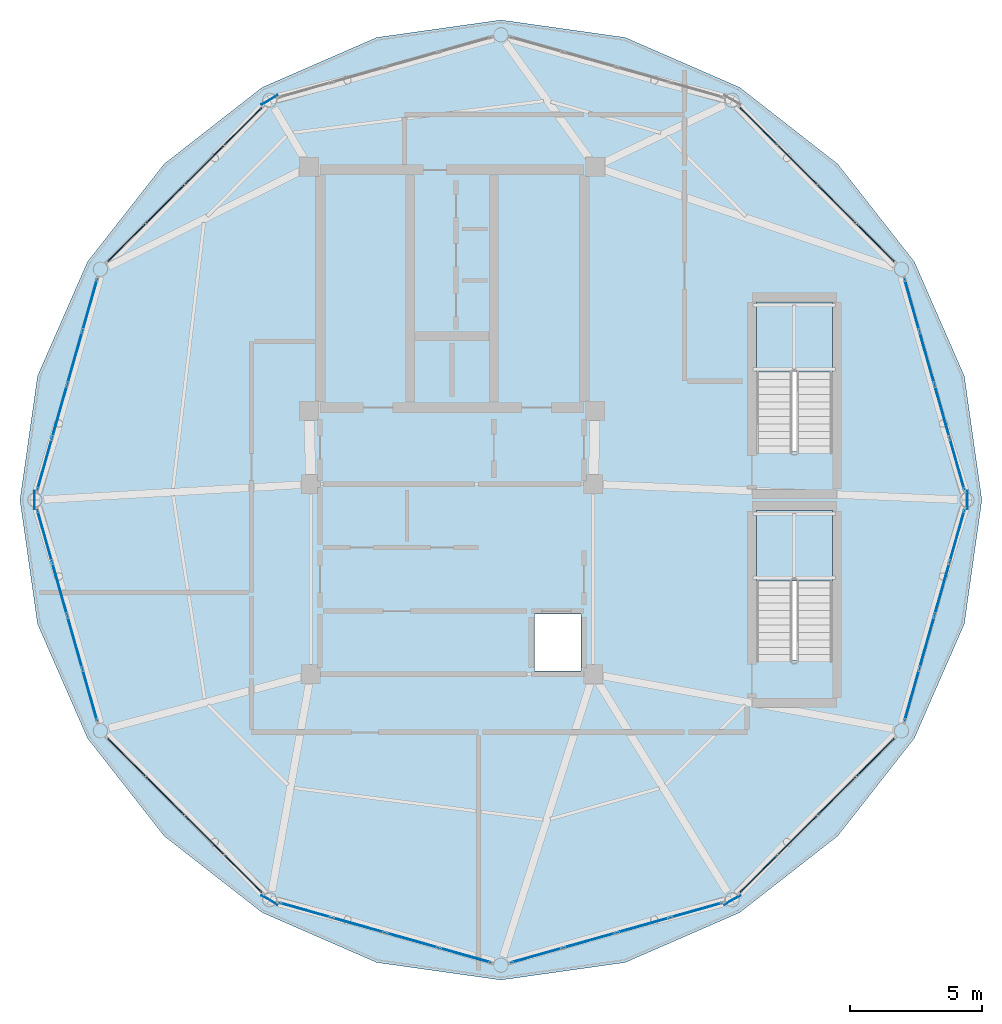
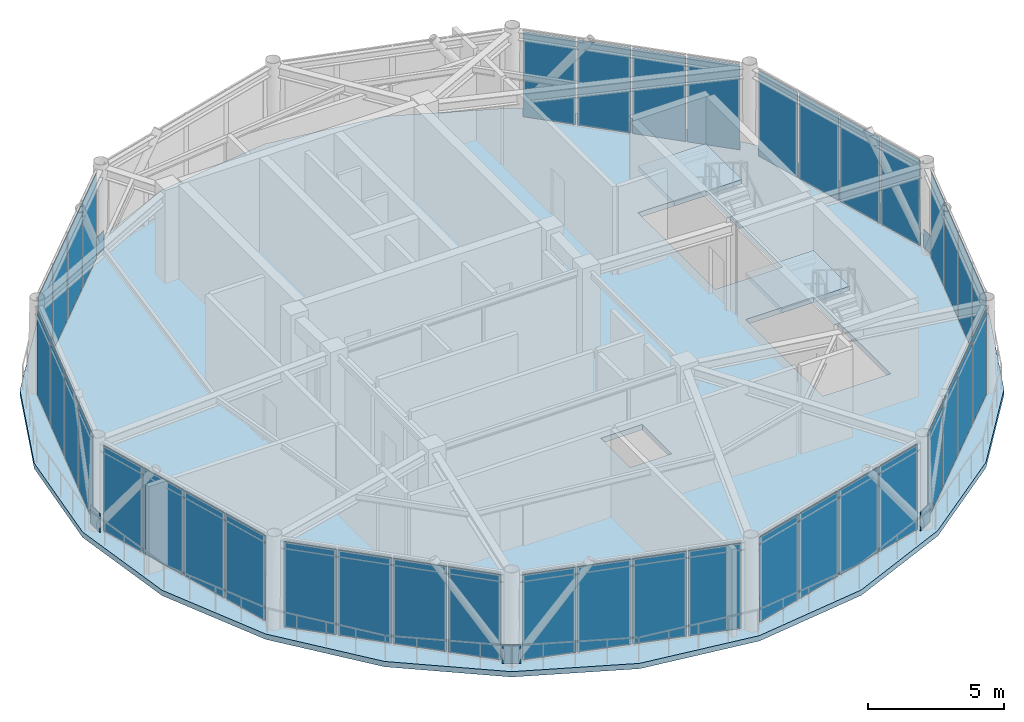
# One storey, part 16 of 21: 45 plates, 3 slabs, 12 elements without a shape of their own.
"""IFC4 building model written with IfcOpenShell, lengths in metres."""

from ifc_helpers import new_model, si_unit, direction, frame, origin, origin_2d, place, context, subcontext, project, spatial, polyline, rectangle, outline, extrude, source, transform, mapped, material, layer, layer_set, type_object, type_shapes, element, aggregate, save


model = new_model("IFC4")

# Units and contexts
model_context = context("Model", 3, precision=1e-05, world=origin(), true_north=direction((0.0, 1.0)))
body_context = subcontext(model_context, "Body", "Model", "MODEL_VIEW")
ifc_project = project(units=[si_unit("LENGTHUNIT", "METRE"), si_unit("AREAUNIT", "SQUARE_METRE"), si_unit("VOLUMEUNIT", "CUBIC_METRE"), si_unit("PLANEANGLEUNIT", "RADIAN"), si_unit("MASSUNIT", "GRAM", prefix="KILO")], contexts=[model_context])

# Site, building, storey
site_placement = place(None, origin())
site = spatial("IfcSite", under=ifc_project, at=site_placement, CompositionType="ELEMENT")
building_placement = place(site_placement, origin())
building = spatial("IfcBuilding", under=site, at=building_placement, Name="Varnakorn Sky Granary", CompositionType="ELEMENT")
storey_placement = place(building_placement, frame((0.0, 0.0, 294.0)))
storey = spatial("IfcBuildingStorey", under=building, at=storey_placement, Name="L75", CompositionType="ELEMENT", Elevation=294.0)

# Plates
ifc_material_1 = material(Name="Steel S460M", Category="steel")
ifc_layer_1 = layer(ifc_material_1, 0.031982421875, Name="Steel S460M")
ifc_layer_set_1 = layer_set([ifc_layer_1], Name="Steel S460M")
plate_type_1 = type_object("IfcPlateType", Name="PL-NODE-KN8", PredefinedType="SHEET", material=ifc_layer_set_1)
for number, where, z_axis, x_axis, name in (
    (1, (22.513916015625, 0.0, 0.0), (0.0, 0.0, 1.0), (0.0, 1.0, 0.0), "Diagrid Node Gusset Assembly KN8 L75-1"),
    (2, (-3.91455078125, 15.150146484375, 0.0), (0.0, 0.0, 1.0), (-0.865591441028, -0.500750893379, 0.0), "Diagrid Node Gusset Assembly KN8 L75-5"),
    (3, (-12.81396484375, 0.0, 0.0), (0.0, 0.0, 1.0), (0.0, -1.0, 0.0), "Diagrid Node Gusset Assembly KN8 L75-7"),
    (4, (-3.91455078125, -15.150146484375, 0.0), (0.0, 0.0, 1.0), (0.865591441028, -0.500750893379, 0.0), "Diagrid Node Gusset Assembly KN8 L75-9"),
    (5, (13.614501953125, -15.150146484375, 0.0), (0.0, 0.0, 1.0), (0.865591441028, 0.500750893379, 0.0), "Diagrid Node Gusset Assembly KN8 L75-11"),
):
    element("IfcPlate", number, at=place(storey_placement, frame(where, z_axis=z_axis, x_axis=x_axis)), inside=storey, type_object=plate_type_1, Name=name, PredefinedType="SHEET", context=body_context, shape_type="SweptSolid", body=[
        extrude(rectangle(XDim=0.699951171875, YDim=0.031982421875, at=origin_2d()), origin(), (0.0, 0.0, 1.0), 0.820068359375),
    ])

# Stair, slab
ifc_material_2 = material(Name="Concrete C40/50", Category="concrete")
stair_type = type_object("IfcStairType", Name="ST-CRWN-ASSEMBLY", PredefinedType="HALF_TURN_STAIR", material=ifc_material_2)
stair_1_placement = place(storey_placement, origin())
stair_1 = element("IfcStair", 6, at=stair_1_placement, inside=storey, type_object=stair_type, Name="L75 Crown North Exit Stair ST-C1", PredefinedType="HALF_TURN_STAIR")
ifc_layer_2 = layer(ifc_material_2, 0.199951171875, Name="Concrete C40/50")
ifc_layer_set_2 = layer_set([ifc_layer_2], Name="Concrete C40/50")
slab_type_1 = type_object("IfcSlabType", Name="ST-CRWN-LAND", PredefinedType="LANDING", material=ifc_layer_set_2)
slab_1_placement = place(storey_placement, frame((0.0, 0.0, 1.89990234375)))
slab_1 = element("IfcSlab", 7, at=slab_1_placement, type_object=slab_type_1, Name="ST-C1 landing 1", PredefinedType="LANDING", context=body_context, shape_type="SweptSolid", body=[
    extrude(outline(polyline([(17.39990234375, 4.840087890625), (17.39990234375, 7.5), (14.530029296875, 7.5), (14.530029296875, 4.840087890625), (17.39990234375, 4.840087890625)])), origin(), (0.0, 0.0, 1.0), 0.2001953125),
])
aggregate(stair_1, [slab_1])

stair_2_placement = place(storey_placement, origin())
stair_2 = element("IfcStair", 8, at=stair_2_placement, inside=storey, type_object=stair_type, Name="L75 Crown South Exit Stair ST-C2", PredefinedType="HALF_TURN_STAIR")
slab_2_placement = place(storey_placement, frame((0.0, 0.0, 1.89990234375)))
slab_2 = element("IfcSlab", 9, at=slab_2_placement, type_object=slab_type_1, Name="ST-C2 landing 1", PredefinedType="LANDING", context=body_context, shape_type="SweptSolid", body=[
    extrude(outline(polyline([(17.39990234375, -3.06005859375), (17.39990234375, -0.39990234375), (14.530029296875, -0.39990234375), (14.530029296875, -3.06005859375), (17.39990234375, -3.06005859375)])), origin(), (0.0, 0.0, 1.0), 0.2001953125),
])
aggregate(stair_2, [slab_2])

# Slab
ifc_material_3 = material(Name="Concrete C50/60", Category="concrete")
ifc_layer_3 = layer(ifc_material_3, 0.239990234375, Name="Concrete C50/60")
ifc_layer_set_3 = layer_set([ifc_layer_3], Name="Concrete C50/60")
slab_type_2 = type_object("IfcSlabType", Name="ST-SL-TWR-240", PredefinedType="FLOOR", material=ifc_layer_set_3)
slab_3_placement = place(storey_placement, frame((0.0, 0.0, -0.239990234375)))
element("IfcSlab", 10, at=slab_3_placement, inside=storey, type_object=slab_type_2, Name="Level L75 Structural Floor Slab", PredefinedType="FLOOR", context=body_context, shape_type="SweptSolid", body=[
    extrude(outline(polyline([(23.06396484375, 0.0), (22.39990234375, 4.693359375), (20.5068359375, 9.02197265625), (17.60205078125, 12.727294921875), (13.889404296875, 15.626708984375), (9.552490234375, 17.51611328125), (4.85009765625, 18.178955078125), (0.1474609375, 17.51611328125), (-4.189453125, 15.626708984375), (-7.902099609375, 12.727294921875), (-10.806884765625, 9.02197265625), (-12.699951171875, 4.693359375), (-13.364013671875, 0.0), (-12.699951171875, -4.693359375), (-10.806884765625, -9.02197265625), (-7.902099609375, -12.727294921875), (-4.189453125, -15.626708984375), (0.1474609375, -17.51611328125), (4.85009765625, -18.178955078125), (9.552490234375, -17.51611328125), (13.889404296875, -15.626708984375), (17.60205078125, -12.727294921875), (20.5068359375, -9.02197265625), (22.39990234375, -4.693359375), (23.06396484375, 0.0)]), holes=[polyline([(17.39990234375, 1.8349609375), (17.39990234375, 7.5), (14.530029296875, 7.5), (14.530029296875, 1.8349609375), (17.39990234375, 1.8349609375)]), polyline([(17.39990234375, -6.06494140625), (17.39990234375, -0.39990234375), (14.530029296875, -0.39990234375), (14.530029296875, -6.06494140625), (17.39990234375, -6.06494140625)]), polyline([(6.1201171875, -6.47998046875), (7.8798828125, -6.47998046875), (7.8798828125, -4.320068359375), (6.1201171875, -4.320068359375), (6.1201171875, -6.47998046875)])]), origin(), (0.0, 0.0, 1.0), 0.239990234375),
])

# Curtain wall, plates
ifc_material_4 = material(Name="Anodised Bronze Aluminium Alloy 6063-T6", Category="aluminium")
ifc_layer_4 = layer(ifc_material_4, 0.22998046875, Name="Anodised Bronze Aluminium Alloy 6063-T6")
ifc_layer_set_4 = layer_set([ifc_layer_4], Name="Anodised Bronze Aluminium Alloy 6063-T6")
curtain_wall_type = type_object("IfcCurtainWallType", Name="CW-LNT-1", PredefinedType="USERDEFINED", material=ifc_layer_set_4)
curtain_wall_1_placement = place(storey_placement, origin())
curtain_wall_1 = element("IfcCurtainWall", 11, at=curtain_wall_1_placement, inside=storey, type_object=curtain_wall_type, Name="Unitised Curtain Wall CW7 CW-L75-B01", ObjectType="CURTAIN WALL", PredefinedType="USERDEFINED")
ifc_material_5 = material(Name="Low-E Tinted Laminated Glass", Category="glass")
ifc_layer_5 = layer(ifc_material_5, 0.035888671875, Name="Low-E Tinted Laminated Glass")
ifc_layer_set_5 = layer_set([ifc_layer_5], Name="Low-E Tinted Laminated Glass")
plate_type_2 = type_object("IfcPlateType", Name="CW-LNT-1-PNL", PredefinedType="CURTAIN_PANEL")
shared_shape_1 = source(origin(), body_context, "Body", "SweptSolid", [
    extrude(rectangle(XDim=1.990966796875, YDim=0.035888671875, at=origin_2d()), origin(), (0.0, 0.0, 1.0), 3.81005859375),
])
plate_1_placement = place(storey_placement, frame((20.415771484375, 7.390625, 0.074951171875), z_axis=(0.0, 0.0, 1.0), x_axis=(0.273125867489, -0.961978305633, 0.0)))
plate_1 = element("IfcPlate", 12, at=plate_1_placement, type_object=plate_type_2, material=ifc_layer_set_5, Name="CW7 vision glazing unit 1.1", PredefinedType="CURTAIN_PANEL", context=body_context, shape_type="MappedRepresentation", body=[
    mapped(shared_shape_1, transform((0.0, 0.0, 0.0), x_axis=(1.0, 0.0, 0.0), y_axis=(0.0, 1.0, 0.0), z_axis=(0.0, 0.0, 1.0), scale=1.0)),
])
ifc_material_6 = material(Name="Opaque Insulated Aluminium Shadow-Box Unit", Category="aluminium")
ifc_layer_6 = layer(ifc_material_6, 0.035888671875, Name="Opaque Insulated Aluminium Shadow-Box Unit")
ifc_layer_set_6 = layer_set([ifc_layer_6], Name="Opaque Insulated Aluminium Shadow-Box Unit")
plate_2_placement = place(storey_placement, frame((22.12890625, 1.3564453125, 0.074951171875), z_axis=(0.0, 0.0, 1.0), x_axis=(0.273125867489, -0.961978305633, 0.0)))
plate_2 = element("IfcPlate", 13, at=plate_2_placement, type_object=plate_type_2, material=ifc_layer_set_6, Name="CW7 opaque insulated shadow-box unit 4.1", PredefinedType="CURTAIN_PANEL", context=body_context, shape_type="MappedRepresentation", body=[
    mapped(shared_shape_1, transform((0.0, 0.0, 0.0), x_axis=(1.0, 0.0, 0.0), y_axis=(0.0, 1.0, 0.0), z_axis=(0.0, 0.0, 1.0), scale=1.0)),
])

curtain_wall_2_placement = place(storey_placement, origin())
curtain_wall_2 = element("IfcCurtainWall", 14, at=curtain_wall_2_placement, inside=storey, type_object=curtain_wall_type, Name="Unitised Curtain Wall CW7 CW-L75-B06", ObjectType="CURTAIN WALL", PredefinedType="USERDEFINED")
plate_3_placement = place(storey_placement, frame((-12.428955078125, 1.3564453125, 0.074951171875), z_axis=(0.0, 0.0, 1.0), x_axis=(0.273125867489, 0.961978305633, 0.0)))
plate_3 = element("IfcPlate", 15, at=plate_3_placement, type_object=plate_type_2, material=ifc_layer_set_6, Name="CW7 opaque insulated shadow-box unit 1.1", PredefinedType="CURTAIN_PANEL", context=body_context, shape_type="MappedRepresentation", body=[
    mapped(shared_shape_1, transform((0.0, 0.0, 0.0), x_axis=(1.0, 0.0, 0.0), y_axis=(0.0, 1.0, 0.0), z_axis=(0.0, 0.0, 1.0), scale=1.0)),
])
plate_4_placement = place(storey_placement, frame((-10.715576171875, 7.390625, 0.074951171875), z_axis=(0.0, 0.0, 1.0), x_axis=(0.273125867489, 0.961978305633, 0.0)))
plate_4 = element("IfcPlate", 16, at=plate_4_placement, type_object=plate_type_2, material=ifc_layer_set_5, Name="CW7 vision glazing unit 4.1", PredefinedType="CURTAIN_PANEL", context=body_context, shape_type="MappedRepresentation", body=[
    mapped(shared_shape_1, transform((0.0, 0.0, 0.0), x_axis=(1.0, 0.0, 0.0), y_axis=(0.0, 1.0, 0.0), z_axis=(0.0, 0.0, 1.0), scale=1.0)),
])

curtain_wall_3_placement = place(storey_placement, origin())
curtain_wall_3 = element("IfcCurtainWall", 17, at=curtain_wall_3_placement, inside=storey, type_object=curtain_wall_type, Name="Unitised Curtain Wall CW7 CW-L75-B07", ObjectType="CURTAIN WALL", PredefinedType="USERDEFINED")
plate_5_placement = place(storey_placement, frame((-10.715576171875, -7.390625, 0.074951171875), z_axis=(0.0, 0.0, 1.0), x_axis=(-0.273125867489, 0.961978305633, 0.0)))
plate_5 = element("IfcPlate", 18, at=plate_5_placement, type_object=plate_type_2, material=ifc_layer_set_5, Name="CW7 vision glazing unit 1.1", PredefinedType="CURTAIN_PANEL", context=body_context, shape_type="MappedRepresentation", body=[
    mapped(shared_shape_1, transform((0.0, 0.0, 0.0), x_axis=(1.0, 0.0, 0.0), y_axis=(0.0, 1.0, 0.0), z_axis=(0.0, 0.0, 1.0), scale=1.0)),
])
plate_6_placement = place(storey_placement, frame((-12.428955078125, -1.3564453125, 0.074951171875), z_axis=(0.0, 0.0, 1.0), x_axis=(-0.273125867489, 0.961978305633, 0.0)))
plate_6 = element("IfcPlate", 19, at=plate_6_placement, type_object=plate_type_2, material=ifc_layer_set_6, Name="CW7 opaque insulated shadow-box unit 4.1", PredefinedType="CURTAIN_PANEL", context=body_context, shape_type="MappedRepresentation", body=[
    mapped(shared_shape_1, transform((0.0, 0.0, 0.0), x_axis=(1.0, 0.0, 0.0), y_axis=(0.0, 1.0, 0.0), z_axis=(0.0, 0.0, 1.0), scale=1.0)),
])

curtain_wall_4_placement = place(storey_placement, origin())
curtain_wall_4 = element("IfcCurtainWall", 20, at=curtain_wall_4_placement, inside=storey, type_object=curtain_wall_type, Name="Unitised Curtain Wall CW7 CW-L75-B12", ObjectType="CURTAIN WALL", PredefinedType="USERDEFINED")
plate_7_placement = place(storey_placement, frame((22.12890625, -1.3564453125, 0.074951171875), z_axis=(0.0, 0.0, 1.0), x_axis=(-0.273125867489, -0.961978305633, 0.0)))
plate_7 = element("IfcPlate", 21, at=plate_7_placement, type_object=plate_type_2, material=ifc_layer_set_6, Name="CW7 opaque insulated shadow-box unit 1.1", PredefinedType="CURTAIN_PANEL", context=body_context, shape_type="MappedRepresentation", body=[
    mapped(shared_shape_1, transform((0.0, 0.0, 0.0), x_axis=(1.0, 0.0, 0.0), y_axis=(0.0, 1.0, 0.0), z_axis=(0.0, 0.0, 1.0), scale=1.0)),
])
plate_8_placement = place(storey_placement, frame((20.415771484375, -7.390625, 0.074951171875), z_axis=(0.0, 0.0, 1.0), x_axis=(-0.273125867489, -0.961978305633, 0.0)))
plate_8 = element("IfcPlate", 22, at=plate_8_placement, type_object=plate_type_2, material=ifc_layer_set_5, Name="CW7 vision glazing unit 4.1", PredefinedType="CURTAIN_PANEL", context=body_context, shape_type="MappedRepresentation", body=[
    mapped(shared_shape_1, transform((0.0, 0.0, 0.0), x_axis=(1.0, 0.0, 0.0), y_axis=(0.0, 1.0, 0.0), z_axis=(0.0, 0.0, 1.0), scale=1.0)),
])

# Plate
shared_shape_2 = source(origin(), body_context, "Body", "SweptSolid", [
    extrude(rectangle(XDim=2.0283203125, YDim=0.035888671875, at=origin_2d()), origin(), (0.0, 0.0, 1.0), 3.81005859375),
])
plate_9_placement = place(storey_placement, frame((20.985107421875, 5.38525390625, 0.074951171875), z_axis=(0.0, 0.0, 1.0), x_axis=(0.273125867489, -0.961978305633, 0.0)))
plate_9 = element("IfcPlate", 23, at=plate_9_placement, type_object=plate_type_2, material=ifc_layer_set_5, Name="CW7 vision glazing unit 2.1", PredefinedType="CURTAIN_PANEL", context=body_context, shape_type="MappedRepresentation", body=[
    mapped(shared_shape_2, transform((0.0, 0.0, 0.0), x_axis=(1.0, 0.0, 0.0), y_axis=(0.0, 1.0, 0.0), z_axis=(0.0, 0.0, 1.0), scale=1.0)),
])

plate_10_placement = place(storey_placement, frame((21.5595703125, 3.36181640625, 0.074951171875), z_axis=(0.0, 0.0, 1.0), x_axis=(0.273125867489, -0.961978305633, 0.0)))
plate_10 = element("IfcPlate", 24, at=plate_10_placement, type_object=plate_type_2, material=ifc_layer_set_6, Name="CW7 opaque insulated shadow-box unit 3.1", PredefinedType="CURTAIN_PANEL", context=body_context, shape_type="MappedRepresentation", body=[
    mapped(shared_shape_2, transform((0.0, 0.0, 0.0), x_axis=(1.0, 0.0, 0.0), y_axis=(0.0, 1.0, 0.0), z_axis=(0.0, 0.0, 1.0), scale=1.0)),
])

aggregate(curtain_wall_1, [plate_1, plate_9, plate_10, plate_2])

plate_11_placement = place(storey_placement, frame((-11.859619140625, 3.36181640625, 0.074951171875), z_axis=(0.0, 0.0, 1.0), x_axis=(0.273125867489, 0.961978305633, 0.0)))
plate_11 = element("IfcPlate", 25, at=plate_11_placement, type_object=plate_type_2, material=ifc_layer_set_6, Name="CW7 opaque insulated shadow-box unit 2.1", PredefinedType="CURTAIN_PANEL", context=body_context, shape_type="MappedRepresentation", body=[
    mapped(shared_shape_2, transform((0.0, 0.0, 0.0), x_axis=(1.0, 0.0, 0.0), y_axis=(0.0, 1.0, 0.0), z_axis=(0.0, 0.0, 1.0), scale=1.0)),
])

plate_12_placement = place(storey_placement, frame((-11.28515625, 5.38525390625, 0.074951171875), z_axis=(0.0, 0.0, 1.0), x_axis=(0.273125867489, 0.961978305633, 0.0)))
plate_12 = element("IfcPlate", 26, at=plate_12_placement, type_object=plate_type_2, material=ifc_layer_set_5, Name="CW7 vision glazing unit 3.1", PredefinedType="CURTAIN_PANEL", context=body_context, shape_type="MappedRepresentation", body=[
    mapped(shared_shape_2, transform((0.0, 0.0, 0.0), x_axis=(1.0, 0.0, 0.0), y_axis=(0.0, 1.0, 0.0), z_axis=(0.0, 0.0, 1.0), scale=1.0)),
])

aggregate(curtain_wall_2, [plate_3, plate_11, plate_12, plate_4])

plate_13_placement = place(storey_placement, frame((-11.28515625, -5.38525390625, 0.074951171875), z_axis=(0.0, 0.0, 1.0), x_axis=(-0.273125867489, 0.961978305633, 0.0)))
plate_13 = element("IfcPlate", 27, at=plate_13_placement, type_object=plate_type_2, material=ifc_layer_set_5, Name="CW7 vision glazing unit 2.1", PredefinedType="CURTAIN_PANEL", context=body_context, shape_type="MappedRepresentation", body=[
    mapped(shared_shape_2, transform((0.0, 0.0, 0.0), x_axis=(1.0, 0.0, 0.0), y_axis=(0.0, 1.0, 0.0), z_axis=(0.0, 0.0, 1.0), scale=1.0)),
])

plate_14_placement = place(storey_placement, frame((-11.859619140625, -3.36181640625, 0.074951171875), z_axis=(0.0, 0.0, 1.0), x_axis=(-0.273125867489, 0.961978305633, 0.0)))
plate_14 = element("IfcPlate", 28, at=plate_14_placement, type_object=plate_type_2, material=ifc_layer_set_6, Name="CW7 opaque insulated shadow-box unit 3.1", PredefinedType="CURTAIN_PANEL", context=body_context, shape_type="MappedRepresentation", body=[
    mapped(shared_shape_2, transform((0.0, 0.0, 0.0), x_axis=(1.0, 0.0, 0.0), y_axis=(0.0, 1.0, 0.0), z_axis=(0.0, 0.0, 1.0), scale=1.0)),
])

aggregate(curtain_wall_3, [plate_5, plate_13, plate_14, plate_6])

plate_15_placement = place(storey_placement, frame((21.5595703125, -3.36181640625, 0.074951171875), z_axis=(0.0, 0.0, 1.0), x_axis=(-0.273125867489, -0.961978305633, 0.0)))
plate_15 = element("IfcPlate", 29, at=plate_15_placement, type_object=plate_type_2, material=ifc_layer_set_6, Name="CW7 opaque insulated shadow-box unit 2.1", PredefinedType="CURTAIN_PANEL", context=body_context, shape_type="MappedRepresentation", body=[
    mapped(shared_shape_2, transform((0.0, 0.0, 0.0), x_axis=(1.0, 0.0, 0.0), y_axis=(0.0, 1.0, 0.0), z_axis=(0.0, 0.0, 1.0), scale=1.0)),
])

plate_16_placement = place(storey_placement, frame((20.985107421875, -5.38525390625, 0.074951171875), z_axis=(0.0, 0.0, 1.0), x_axis=(-0.273125867489, -0.961978305633, 0.0)))
plate_16 = element("IfcPlate", 30, at=plate_16_placement, type_object=plate_type_2, material=ifc_layer_set_5, Name="CW7 vision glazing unit 3.1", PredefinedType="CURTAIN_PANEL", context=body_context, shape_type="MappedRepresentation", body=[
    mapped(shared_shape_2, transform((0.0, 0.0, 0.0), x_axis=(1.0, 0.0, 0.0), y_axis=(0.0, 1.0, 0.0), z_axis=(0.0, 0.0, 1.0), scale=1.0)),
])

aggregate(curtain_wall_4, [plate_7, plate_15, plate_16, plate_8])

# Curtain wall, plates
curtain_wall_5_placement = place(storey_placement, origin())
curtain_wall_5 = element("IfcCurtainWall", 31, at=curtain_wall_5_placement, inside=storey, type_object=curtain_wall_type, Name="Unitised Curtain Wall CW7 CW-L75-B02", ObjectType="CURTAIN WALL", PredefinedType="USERDEFINED")
shared_shape_3 = source(origin(), body_context, "Body", "SweptSolid", [
    extrude(rectangle(XDim=1.98388671875, YDim=0.035888671875, at=origin_2d()), origin(), (0.0, 0.0, 1.0), 3.81005859375),
])
plate_17_placement = place(storey_placement, frame((14.610107421875, 14.15673828125, 0.074951171875), z_axis=(0.0, 0.0, 1.0), x_axis=(0.70781597031, -0.706396880071, 0.0)))
plate_17 = element("IfcPlate", 32, at=plate_17_placement, type_object=plate_type_2, material=ifc_layer_set_6, Name="CW7 opaque insulated shadow-box unit 1.1", PredefinedType="CURTAIN_PANEL", context=body_context, shape_type="MappedRepresentation", body=[
    mapped(shared_shape_3, transform((0.0, 0.0, 0.0), x_axis=(1.0, 0.0, 0.0), y_axis=(0.0, 1.0, 0.0), z_axis=(0.0, 0.0, 1.0), scale=1.0)),
])
plate_18_placement = place(storey_placement, frame((19.03515625, 9.740478515625, 0.074951171875), z_axis=(0.0, 0.0, 1.0), x_axis=(0.70781597031, -0.706396880071, 0.0)))
plate_18 = element("IfcPlate", 33, at=plate_18_placement, type_object=plate_type_2, material=ifc_layer_set_5, Name="CW7 vision glazing unit 4.1", PredefinedType="CURTAIN_PANEL", context=body_context, shape_type="MappedRepresentation", body=[
    mapped(shared_shape_3, transform((0.0, 0.0, 0.0), x_axis=(1.0, 0.0, 0.0), y_axis=(0.0, 1.0, 0.0), z_axis=(0.0, 0.0, 1.0), scale=1.0)),
])

curtain_wall_6_placement = place(storey_placement, origin())
curtain_wall_6 = element("IfcCurtainWall", 34, at=curtain_wall_6_placement, inside=storey, type_object=curtain_wall_type, Name="Unitised Curtain Wall CW7 CW-L75-B05", ObjectType="CURTAIN WALL", PredefinedType="USERDEFINED")
plate_19_placement = place(storey_placement, frame((-9.335205078125, 9.740478515625, 0.074951171875), z_axis=(0.0, 0.0, 1.0), x_axis=(0.70781597031, 0.706396880071, 0.0)))
plate_19 = element("IfcPlate", 35, at=plate_19_placement, type_object=plate_type_2, material=ifc_layer_set_5, Name="CW7 vision glazing unit 1.1", PredefinedType="CURTAIN_PANEL", context=body_context, shape_type="MappedRepresentation", body=[
    mapped(shared_shape_3, transform((0.0, 0.0, 0.0), x_axis=(1.0, 0.0, 0.0), y_axis=(0.0, 1.0, 0.0), z_axis=(0.0, 0.0, 1.0), scale=1.0)),
])
plate_20_placement = place(storey_placement, frame((-4.909912109375, 14.15673828125, 0.074951171875), z_axis=(0.0, 0.0, 1.0), x_axis=(0.70781597031, 0.706396880071, 0.0)))
plate_20 = element("IfcPlate", 36, at=plate_20_placement, type_object=plate_type_2, material=ifc_layer_set_6, Name="CW7 opaque insulated shadow-box unit 4.1", PredefinedType="CURTAIN_PANEL", context=body_context, shape_type="MappedRepresentation", body=[
    mapped(shared_shape_3, transform((0.0, 0.0, 0.0), x_axis=(1.0, 0.0, 0.0), y_axis=(0.0, 1.0, 0.0), z_axis=(0.0, 0.0, 1.0), scale=1.0)),
])

curtain_wall_7_placement = place(storey_placement, origin())
curtain_wall_7 = element("IfcCurtainWall", 37, at=curtain_wall_7_placement, inside=storey, type_object=curtain_wall_type, Name="Unitised Curtain Wall CW7 CW-L75-B08", ObjectType="CURTAIN WALL", PredefinedType="USERDEFINED")
plate_21_placement = place(storey_placement, frame((-4.909912109375, -14.15673828125, 0.074951171875), z_axis=(0.0, 0.0, 1.0), x_axis=(-0.70781597031, 0.706396880071, 0.0)))
plate_21 = element("IfcPlate", 38, at=plate_21_placement, type_object=plate_type_2, material=ifc_layer_set_6, Name="CW7 opaque insulated shadow-box unit 1.1", PredefinedType="CURTAIN_PANEL", context=body_context, shape_type="MappedRepresentation", body=[
    mapped(shared_shape_3, transform((0.0, 0.0, 0.0), x_axis=(1.0, 0.0, 0.0), y_axis=(0.0, 1.0, 0.0), z_axis=(0.0, 0.0, 1.0), scale=1.0)),
])
plate_22_placement = place(storey_placement, frame((-9.335205078125, -9.740478515625, 0.074951171875), z_axis=(0.0, 0.0, 1.0), x_axis=(-0.70781597031, 0.706396880071, 0.0)))
plate_22 = element("IfcPlate", 39, at=plate_22_placement, type_object=plate_type_2, material=ifc_layer_set_5, Name="CW7 vision glazing unit 4.1", PredefinedType="CURTAIN_PANEL", context=body_context, shape_type="MappedRepresentation", body=[
    mapped(shared_shape_3, transform((0.0, 0.0, 0.0), x_axis=(1.0, 0.0, 0.0), y_axis=(0.0, 1.0, 0.0), z_axis=(0.0, 0.0, 1.0), scale=1.0)),
])

curtain_wall_8_placement = place(storey_placement, origin())
curtain_wall_8 = element("IfcCurtainWall", 40, at=curtain_wall_8_placement, inside=storey, type_object=curtain_wall_type, Name="Unitised Curtain Wall CW7 CW-L75-B11", ObjectType="CURTAIN WALL", PredefinedType="USERDEFINED")
plate_23_placement = place(storey_placement, frame((19.03515625, -9.740478515625, 0.074951171875), z_axis=(0.0, 0.0, 1.0), x_axis=(-0.70781597031, -0.706396880071, 0.0)))
plate_23 = element("IfcPlate", 41, at=plate_23_placement, type_object=plate_type_2, material=ifc_layer_set_5, Name="CW7 vision glazing unit 1.1", PredefinedType="CURTAIN_PANEL", context=body_context, shape_type="MappedRepresentation", body=[
    mapped(shared_shape_3, transform((0.0, 0.0, 0.0), x_axis=(1.0, 0.0, 0.0), y_axis=(0.0, 1.0, 0.0), z_axis=(0.0, 0.0, 1.0), scale=1.0)),
])
plate_24_placement = place(storey_placement, frame((14.610107421875, -14.15673828125, 0.074951171875), z_axis=(0.0, 0.0, 1.0), x_axis=(-0.70781597031, -0.706396880071, 0.0)))
plate_24 = element("IfcPlate", 42, at=plate_24_placement, type_object=plate_type_2, material=ifc_layer_set_6, Name="CW7 opaque insulated shadow-box unit 4.1", PredefinedType="CURTAIN_PANEL", context=body_context, shape_type="MappedRepresentation", body=[
    mapped(shared_shape_3, transform((0.0, 0.0, 0.0), x_axis=(1.0, 0.0, 0.0), y_axis=(0.0, 1.0, 0.0), z_axis=(0.0, 0.0, 1.0), scale=1.0)),
])

# Plate
shared_shape_4 = source(origin(), body_context, "Body", "SweptSolid", [
    extrude(rectangle(XDim=2.021484375, YDim=0.035888671875, at=origin_2d()), origin(), (0.0, 0.0, 1.0), 3.81005859375),
])
plate_25_placement = place(storey_placement, frame((16.08056640625, 12.68896484375, 0.074951171875), z_axis=(0.0, 0.0, 1.0), x_axis=(0.70781597031, -0.706396880071, 0.0)))
plate_25 = element("IfcPlate", 43, at=plate_25_placement, type_object=plate_type_2, material=ifc_layer_set_6, Name="CW7 opaque insulated shadow-box unit 2.1", PredefinedType="CURTAIN_PANEL", context=body_context, shape_type="MappedRepresentation", body=[
    mapped(shared_shape_4, transform((0.0, 0.0, 0.0), x_axis=(1.0, 0.0, 0.0), y_axis=(0.0, 1.0, 0.0), z_axis=(0.0, 0.0, 1.0), scale=1.0)),
])

plate_26_placement = place(storey_placement, frame((17.564453125, 11.208251953125, 0.074951171875), z_axis=(0.0, 0.0, 1.0), x_axis=(0.70781597031, -0.706396880071, 0.0)))
plate_26 = element("IfcPlate", 44, at=plate_26_placement, type_object=plate_type_2, material=ifc_layer_set_5, Name="CW7 vision glazing unit 3.1", PredefinedType="CURTAIN_PANEL", context=body_context, shape_type="MappedRepresentation", body=[
    mapped(shared_shape_4, transform((0.0, 0.0, 0.0), x_axis=(1.0, 0.0, 0.0), y_axis=(0.0, 1.0, 0.0), z_axis=(0.0, 0.0, 1.0), scale=1.0)),
])

aggregate(curtain_wall_5, [plate_17, plate_25, plate_26, plate_18])

plate_27_placement = place(storey_placement, frame((-7.864501953125, 11.208251953125, 0.074951171875), z_axis=(0.0, 0.0, 1.0), x_axis=(0.70781597031, 0.706396880071, 0.0)))
plate_27 = element("IfcPlate", 45, at=plate_27_placement, type_object=plate_type_2, material=ifc_layer_set_5, Name="CW7 vision glazing unit 2.1", PredefinedType="CURTAIN_PANEL", context=body_context, shape_type="MappedRepresentation", body=[
    mapped(shared_shape_4, transform((0.0, 0.0, 0.0), x_axis=(1.0, 0.0, 0.0), y_axis=(0.0, 1.0, 0.0), z_axis=(0.0, 0.0, 1.0), scale=1.0)),
])

plate_28_placement = place(storey_placement, frame((-6.380615234375, 12.68896484375, 0.074951171875), z_axis=(0.0, 0.0, 1.0), x_axis=(0.70781597031, 0.706396880071, 0.0)))
plate_28 = element("IfcPlate", 46, at=plate_28_placement, type_object=plate_type_2, material=ifc_layer_set_6, Name="CW7 opaque insulated shadow-box unit 3.1", PredefinedType="CURTAIN_PANEL", context=body_context, shape_type="MappedRepresentation", body=[
    mapped(shared_shape_4, transform((0.0, 0.0, 0.0), x_axis=(1.0, 0.0, 0.0), y_axis=(0.0, 1.0, 0.0), z_axis=(0.0, 0.0, 1.0), scale=1.0)),
])

aggregate(curtain_wall_6, [plate_19, plate_27, plate_28, plate_20])

plate_29_placement = place(storey_placement, frame((-6.380615234375, -12.68896484375, 0.074951171875), z_axis=(0.0, 0.0, 1.0), x_axis=(-0.70781597031, 0.706396880071, 0.0)))
plate_29 = element("IfcPlate", 47, at=plate_29_placement, type_object=plate_type_2, material=ifc_layer_set_6, Name="CW7 opaque insulated shadow-box unit 2.1", PredefinedType="CURTAIN_PANEL", context=body_context, shape_type="MappedRepresentation", body=[
    mapped(shared_shape_4, transform((0.0, 0.0, 0.0), x_axis=(1.0, 0.0, 0.0), y_axis=(0.0, 1.0, 0.0), z_axis=(0.0, 0.0, 1.0), scale=1.0)),
])

plate_30_placement = place(storey_placement, frame((-7.864501953125, -11.208251953125, 0.074951171875), z_axis=(0.0, 0.0, 1.0), x_axis=(-0.70781597031, 0.706396880071, 0.0)))
plate_30 = element("IfcPlate", 48, at=plate_30_placement, type_object=plate_type_2, material=ifc_layer_set_5, Name="CW7 vision glazing unit 3.1", PredefinedType="CURTAIN_PANEL", context=body_context, shape_type="MappedRepresentation", body=[
    mapped(shared_shape_4, transform((0.0, 0.0, 0.0), x_axis=(1.0, 0.0, 0.0), y_axis=(0.0, 1.0, 0.0), z_axis=(0.0, 0.0, 1.0), scale=1.0)),
])

aggregate(curtain_wall_7, [plate_21, plate_29, plate_30, plate_22])

plate_31_placement = place(storey_placement, frame((17.564453125, -11.208251953125, 0.074951171875), z_axis=(0.0, 0.0, 1.0), x_axis=(-0.70781597031, -0.706396880071, 0.0)))
plate_31 = element("IfcPlate", 49, at=plate_31_placement, type_object=plate_type_2, material=ifc_layer_set_5, Name="CW7 vision glazing unit 2.1", PredefinedType="CURTAIN_PANEL", context=body_context, shape_type="MappedRepresentation", body=[
    mapped(shared_shape_4, transform((0.0, 0.0, 0.0), x_axis=(1.0, 0.0, 0.0), y_axis=(0.0, 1.0, 0.0), z_axis=(0.0, 0.0, 1.0), scale=1.0)),
])

plate_32_placement = place(storey_placement, frame((16.08056640625, -12.68896484375, 0.074951171875), z_axis=(0.0, 0.0, 1.0), x_axis=(-0.70781597031, -0.706396880071, 0.0)))
plate_32 = element("IfcPlate", 50, at=plate_32_placement, type_object=plate_type_2, material=ifc_layer_set_6, Name="CW7 opaque insulated shadow-box unit 3.1", PredefinedType="CURTAIN_PANEL", context=body_context, shape_type="MappedRepresentation", body=[
    mapped(shared_shape_4, transform((0.0, 0.0, 0.0), x_axis=(1.0, 0.0, 0.0), y_axis=(0.0, 1.0, 0.0), z_axis=(0.0, 0.0, 1.0), scale=1.0)),
])

aggregate(curtain_wall_8, [plate_23, plate_31, plate_32, plate_24])

# Curtain wall, plates
curtain_wall_9_placement = place(storey_placement, origin())
curtain_wall_9 = element("IfcCurtainWall", 51, at=curtain_wall_9_placement, inside=storey, type_object=curtain_wall_type, Name="Unitised Curtain Wall CW7 CW-L75-B09", ObjectType="CURTAIN WALL", PredefinedType="USERDEFINED")
shared_shape_5 = source(origin(), body_context, "Body", "SweptSolid", [
    extrude(rectangle(XDim=1.994873046875, YDim=0.035888671875, at=origin_2d()), origin(), (0.0, 0.0, 1.0), 3.81005859375),
])
plate_33_placement = place(storey_placement, frame((3.491455078125, -17.24462890625, 0.074951171875), z_axis=(0.0, 0.0, 1.0), x_axis=(-0.962255591233, 0.272147344542, 0.0)))
plate_33 = element("IfcPlate", 52, at=plate_33_placement, type_object=plate_type_2, material=ifc_layer_set_5, Name="CW7 vision glazing unit 1.1", PredefinedType="CURTAIN_PANEL", context=body_context, shape_type="MappedRepresentation", body=[
    mapped(shared_shape_5, transform((0.0, 0.0, 0.0), x_axis=(1.0, 0.0, 0.0), y_axis=(0.0, 1.0, 0.0), z_axis=(0.0, 0.0, 1.0), scale=1.0)),
])
plate_34_placement = place(storey_placement, frame((-2.555908203125, -15.534423828125, 0.074951171875), z_axis=(0.0, 0.0, 1.0), x_axis=(-0.962255591233, 0.272147344542, 0.0)))
plate_34 = element("IfcPlate", 53, at=plate_34_placement, type_object=plate_type_2, material=ifc_layer_set_6, Name="CW7 opaque insulated shadow-box unit 4.1", PredefinedType="CURTAIN_PANEL", context=body_context, shape_type="MappedRepresentation", body=[
    mapped(shared_shape_5, transform((0.0, 0.0, 0.0), x_axis=(1.0, 0.0, 0.0), y_axis=(0.0, 1.0, 0.0), z_axis=(0.0, 0.0, 1.0), scale=1.0)),
])

curtain_wall_10_placement = place(storey_placement, origin())
curtain_wall_10 = element("IfcCurtainWall", 54, at=curtain_wall_10_placement, inside=storey, type_object=curtain_wall_type, Name="Unitised Curtain Wall CW7 CW-L75-B10", ObjectType="CURTAIN WALL", PredefinedType="USERDEFINED")
plate_35_placement = place(storey_placement, frame((12.255859375, -15.534423828125, 0.074951171875), z_axis=(0.0, 0.0, 1.0), x_axis=(-0.962255591233, -0.272147344542, 0.0)))
plate_35 = element("IfcPlate", 55, at=plate_35_placement, type_object=plate_type_2, material=ifc_layer_set_6, Name="CW7 opaque insulated shadow-box unit 1.1", PredefinedType="CURTAIN_PANEL", context=body_context, shape_type="MappedRepresentation", body=[
    mapped(shared_shape_5, transform((0.0, 0.0, 0.0), x_axis=(1.0, 0.0, 0.0), y_axis=(0.0, 1.0, 0.0), z_axis=(0.0, 0.0, 1.0), scale=1.0)),
])
plate_36_placement = place(storey_placement, frame((6.208740234375, -17.24462890625, 0.074951171875), z_axis=(0.0, 0.0, 1.0), x_axis=(-0.962255591233, -0.272147344542, 0.0)))
plate_36 = element("IfcPlate", 56, at=plate_36_placement, type_object=plate_type_2, material=ifc_layer_set_5, Name="CW7 vision glazing unit 4.1", PredefinedType="CURTAIN_PANEL", context=body_context, shape_type="MappedRepresentation", body=[
    mapped(shared_shape_5, transform((0.0, 0.0, 0.0), x_axis=(1.0, 0.0, 0.0), y_axis=(0.0, 1.0, 0.0), z_axis=(0.0, 0.0, 1.0), scale=1.0)),
])

# Plate
shared_shape_6 = source(origin(), body_context, "Body", "SweptSolid", [
    extrude(rectangle(XDim=2.0322265625, YDim=0.035888671875, at=origin_2d()), origin(), (0.0, 0.0, 1.0), 3.81005859375),
])
type_shapes(plate_type_2, [shared_shape_1, shared_shape_2, shared_shape_3, shared_shape_4, shared_shape_5, shared_shape_6])
plate_37_placement = place(storey_placement, frame((1.481689453125, -16.67626953125, 0.074951171875), z_axis=(0.0, 0.0, 1.0), x_axis=(-0.962255591233, 0.272147344542, 0.0)))
plate_37 = element("IfcPlate", 57, at=plate_37_placement, type_object=plate_type_2, material=ifc_layer_set_5, Name="CW7 vision glazing unit 2.1", PredefinedType="CURTAIN_PANEL", context=body_context, shape_type="MappedRepresentation", body=[
    mapped(shared_shape_6, transform((0.0, 0.0, 0.0), x_axis=(1.0, 0.0, 0.0), y_axis=(0.0, 1.0, 0.0), z_axis=(0.0, 0.0, 1.0), scale=1.0)),
])

plate_38_placement = place(storey_placement, frame((-0.546142578125, -16.102783203125, 0.074951171875), z_axis=(0.0, 0.0, 1.0), x_axis=(-0.962255591233, 0.272147344542, 0.0)))
plate_38 = element("IfcPlate", 58, at=plate_38_placement, type_object=plate_type_2, material=ifc_layer_set_6, Name="CW7 opaque insulated shadow-box unit 3.1", PredefinedType="CURTAIN_PANEL", context=body_context, shape_type="MappedRepresentation", body=[
    mapped(shared_shape_6, transform((0.0, 0.0, 0.0), x_axis=(1.0, 0.0, 0.0), y_axis=(0.0, 1.0, 0.0), z_axis=(0.0, 0.0, 1.0), scale=1.0)),
])

aggregate(curtain_wall_9, [plate_33, plate_37, plate_38, plate_34])

plate_39_placement = place(storey_placement, frame((10.24609375, -16.102783203125, 0.074951171875), z_axis=(0.0, 0.0, 1.0), x_axis=(-0.962255591233, -0.272147344542, 0.0)))
plate_39 = element("IfcPlate", 59, at=plate_39_placement, type_object=plate_type_2, material=ifc_layer_set_6, Name="CW7 opaque insulated shadow-box unit 2.1", PredefinedType="CURTAIN_PANEL", context=body_context, shape_type="MappedRepresentation", body=[
    mapped(shared_shape_6, transform((0.0, 0.0, 0.0), x_axis=(1.0, 0.0, 0.0), y_axis=(0.0, 1.0, 0.0), z_axis=(0.0, 0.0, 1.0), scale=1.0)),
])

plate_40_placement = place(storey_placement, frame((8.21826171875, -16.67626953125, 0.074951171875), z_axis=(0.0, 0.0, 1.0), x_axis=(-0.962255591233, -0.272147344542, 0.0)))
plate_40 = element("IfcPlate", 60, at=plate_40_placement, type_object=plate_type_2, material=ifc_layer_set_5, Name="CW7 vision glazing unit 3.1", PredefinedType="CURTAIN_PANEL", context=body_context, shape_type="MappedRepresentation", body=[
    mapped(shared_shape_6, transform((0.0, 0.0, 0.0), x_axis=(1.0, 0.0, 0.0), y_axis=(0.0, 1.0, 0.0), z_axis=(0.0, 0.0, 1.0), scale=1.0)),
])

aggregate(curtain_wall_10, [plate_35, plate_39, plate_40, plate_36])

save(model, "model.ifc")
